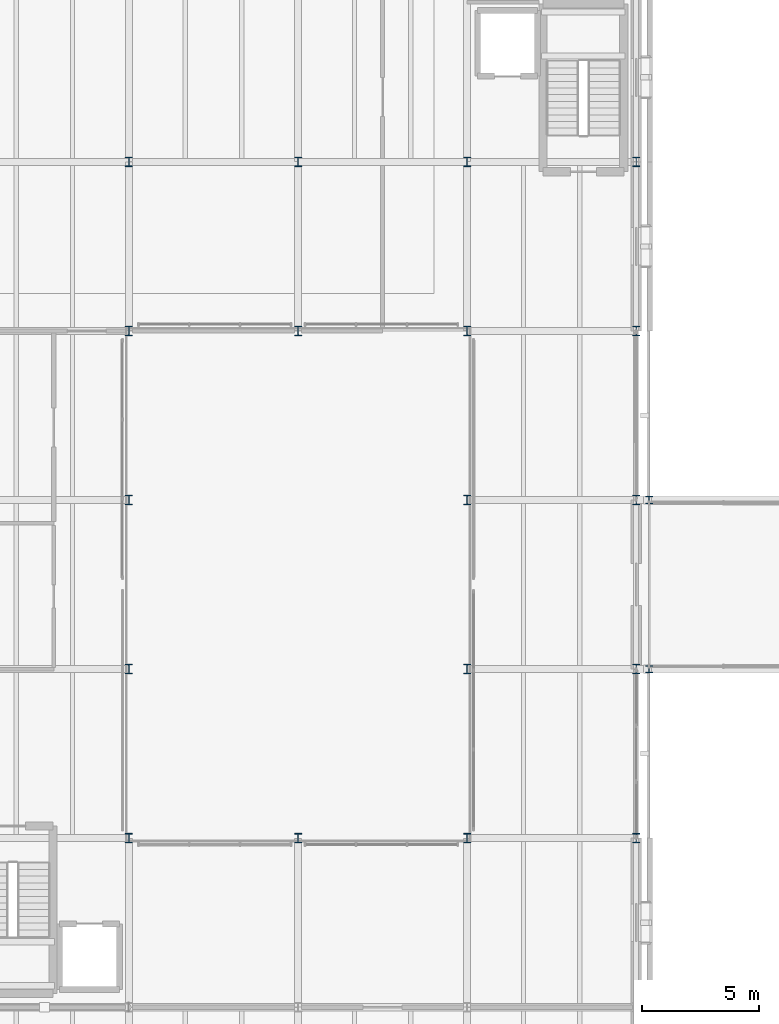
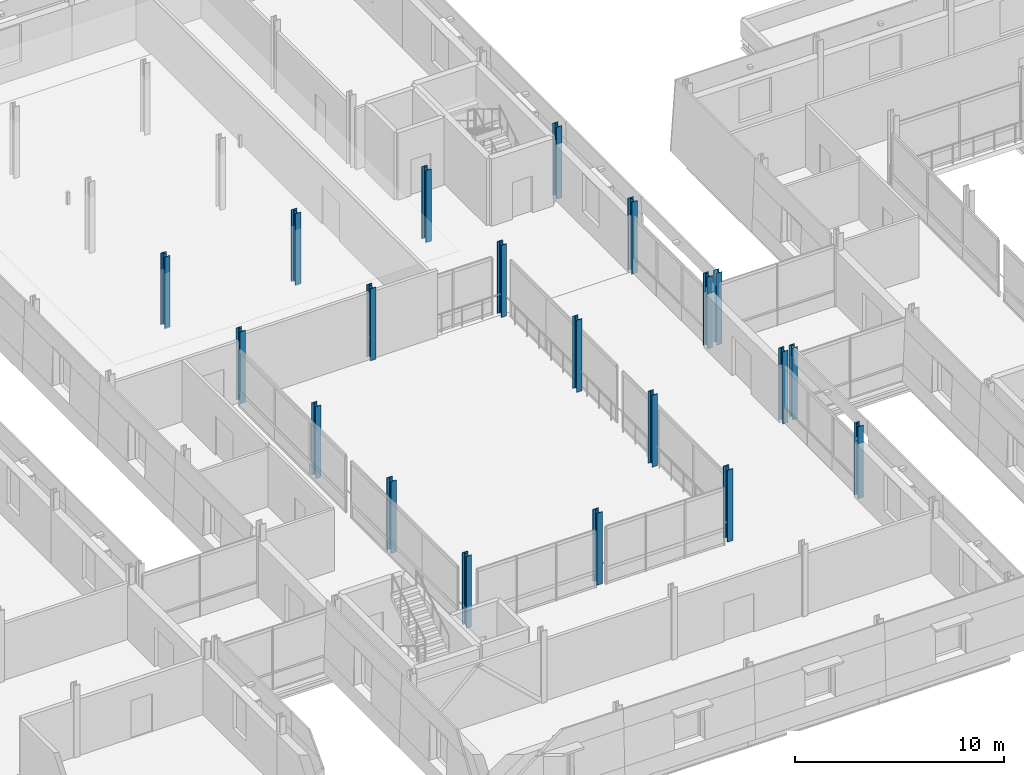
# One storey, part 7 of 115: 20 columns.
"""IFC4 building model written with IfcOpenShell, lengths in metres."""

from ifc_helpers import new_model, si_unit, direction, frame, origin, origin_2d, place, context, subcontext, project, spatial, i_section, extrude, material, material_profile, profile_set, type_object, element, save


model = new_model("IFC4")

# Units and contexts
model_context = context("Model", 3, precision=1e-05, world=origin(), true_north=direction((0.0, 1.0)))
body_context = subcontext(model_context, "Body", "Model", "MODEL_VIEW")
ifc_project = project(units=[si_unit("LENGTHUNIT", "METRE"), si_unit("AREAUNIT", "SQUARE_METRE"), si_unit("VOLUMEUNIT", "CUBIC_METRE"), si_unit("PLANEANGLEUNIT", "RADIAN"), si_unit("MASSUNIT", "GRAM", prefix="KILO")], contexts=[model_context])

# Site, building, storey
site_placement = place(None, origin())
site = spatial("IfcSite", under=ifc_project, at=site_placement, CompositionType="ELEMENT")
building_placement = place(site_placement, origin())
building = spatial("IfcBuilding", under=site, at=building_placement, Name="Narikvali Park Central Library", CompositionType="ELEMENT")
storey_placement = place(building_placement, frame((0.0, 0.0, 10.199951171875)))
storey = spatial("IfcBuildingStorey", under=building, at=storey_placement, Name="L02", CompositionType="ELEMENT", Elevation=10.199951171875)

# Columns
ifc_material = material(Name="Steel S355", Category="steel")
ifc_material_profile_1 = material_profile(ifc_material, i_section(OverallWidth=0.300048828125, OverallDepth=0.300048828125, WebThickness=0.010986328125, FlangeThickness=0.01904296875, FilletRadius=0.027099609375, at=origin_2d()), Name="HEB 300")
ifc_profile_set_1 = profile_set([ifc_material_profile_1], Name="Steel S355")
column_type_1 = type_object("IfcColumnType", Name="Steel Column HEB300", PredefinedType="COLUMN", material=ifc_profile_set_1)
for number, where, z_axis, x_axis, name in (
    (1, (58.14990234375, 72.0, 0.0), (0.0, 0.0, 1.0), (1.0, 0.0, 0.0), "BRG-2 Bridge Pier L02"),
    (2, (58.14990234375, 79.199951171875, 0.0), (0.0, 0.0, 1.0), (1.0, 0.0, 0.0), "BRG-2 Bridge Pier L02"),
):
    element("IfcColumn", number, at=place(storey_placement, frame(where, z_axis=z_axis, x_axis=x_axis)), inside=storey, type_object=column_type_1, Name=name, PredefinedType="COLUMN", context=body_context, shape_type="SweptSolid", body=[
        extrude(i_section(OverallWidth=0.300048828125, OverallDepth=0.300048828125, WebThickness=0.010986328125, FlangeThickness=0.01904296875, FilletRadius=0.027099609375, at=origin_2d()), origin(), (0.0, 0.0, 1.0), 4.199951171875),
    ])
ifc_material_profile_2 = material_profile(ifc_material, i_section(OverallWidth=0.300048828125, OverallDepth=0.39990234375, WebThickness=0.013427734375, FlangeThickness=0.02392578125, FilletRadius=0.027099609375, at=origin_2d()), Name="HEB 400")
ifc_profile_set_2 = profile_set([ifc_material_profile_2], Name="Steel S355")
column_type_2 = type_object("IfcColumnType", Name="Steel Column HEB400", PredefinedType="COLUMN", material=ifc_profile_set_2)
for number, where, z_axis, x_axis, name in (
    (3, (36.0, 64.800048828125, 0.0), (0.0, 0.0, 1.0), (1.0, 0.0, 0.0), "V4 L02 Column (36.0,64.8)"),
    (4, (36.0, 72.0, 0.0), (0.0, 0.0, 1.0), (1.0, 0.0, 0.0), "V4 L02 Column (36.0,72.0)"),
    (5, (36.0, 79.199951171875, 0.0), (0.0, 0.0, 1.0), (1.0, 0.0, 0.0), "V4 L02 Column (36.0,79.2)"),
    (6, (36.0, 86.39990234375, 0.0), (0.0, 0.0, 1.0), (1.0, 0.0, 0.0), "V4 L02 Column (36.0,86.4)"),
    (7, (36.0, 93.60009765625, 0.0), (0.0, 0.0, 1.0), (1.0, 0.0, 0.0), "V4 L02 Column (36.0,93.6)"),
    (8, (43.199951171875, 64.800048828125, 0.0), (0.0, 0.0, 1.0), (1.0, 0.0, 0.0), "V4 L02 Column (43.2,64.8)"),
    (9, (43.199951171875, 86.39990234375, 0.0), (0.0, 0.0, 1.0), (1.0, 0.0, 0.0), "V4 L02 Column (43.2,86.4)"),
    (10, (43.199951171875, 93.60009765625, 0.0), (0.0, 0.0, 1.0), (1.0, 0.0, 0.0), "V4 L02 Column (43.2,93.6)"),
    (11, (50.39990234375, 64.800048828125, 0.0), (0.0, 0.0, 1.0), (1.0, 0.0, 0.0), "V4 L02 Column (50.4,64.8)"),
    (12, (50.39990234375, 72.0, 0.0), (0.0, 0.0, 1.0), (1.0, 0.0, 0.0), "V4 L02 Column (50.4,72.0)"),
    (13, (50.39990234375, 79.199951171875, 0.0), (0.0, 0.0, 1.0), (1.0, 0.0, 0.0), "V4 L02 Column (50.4,79.2)"),
    (14, (50.39990234375, 86.39990234375, 0.0), (0.0, 0.0, 1.0), (1.0, 0.0, 0.0), "V4 L02 Column (50.4,86.4)"),
    (15, (50.39990234375, 93.60009765625, 0.0), (0.0, 0.0, 1.0), (1.0, 0.0, 0.0), "V4 L02 Column (50.4,93.6)"),
    (16, (57.60009765625, 64.800048828125, 0.0), (0.0, 0.0, 1.0), (1.0, 0.0, 0.0), "V4 L02 Column (57.6,64.8)"),
    (17, (57.60009765625, 72.0, 0.0), (0.0, 0.0, 1.0), (1.0, 0.0, 0.0), "V4 L02 Column (57.6,72.0)"),
    (18, (57.60009765625, 79.199951171875, 0.0), (0.0, 0.0, 1.0), (1.0, 0.0, 0.0), "V4 L02 Column (57.6,79.2)"),
    (19, (57.60009765625, 86.39990234375, 0.0), (0.0, 0.0, 1.0), (1.0, 0.0, 0.0), "V4 L02 Column (57.6,86.4)"),
    (20, (57.60009765625, 93.60009765625, 0.0), (0.0, 0.0, 1.0), (1.0, 0.0, 0.0), "V4 L02 Column (57.6,93.6)"),
):
    element("IfcColumn", number, at=place(storey_placement, frame(where, z_axis=z_axis, x_axis=x_axis)), inside=storey, type_object=column_type_2, Name=name, PredefinedType="COLUMN", context=body_context, shape_type="SweptSolid", body=[
        extrude(i_section(OverallWidth=0.300048828125, OverallDepth=0.39990234375, WebThickness=0.013427734375, FlangeThickness=0.02392578125, FilletRadius=0.027099609375, at=origin_2d()), origin(), (0.0, 0.0, 1.0), 4.199951171875),
    ])

save(model, "model.ifc")
